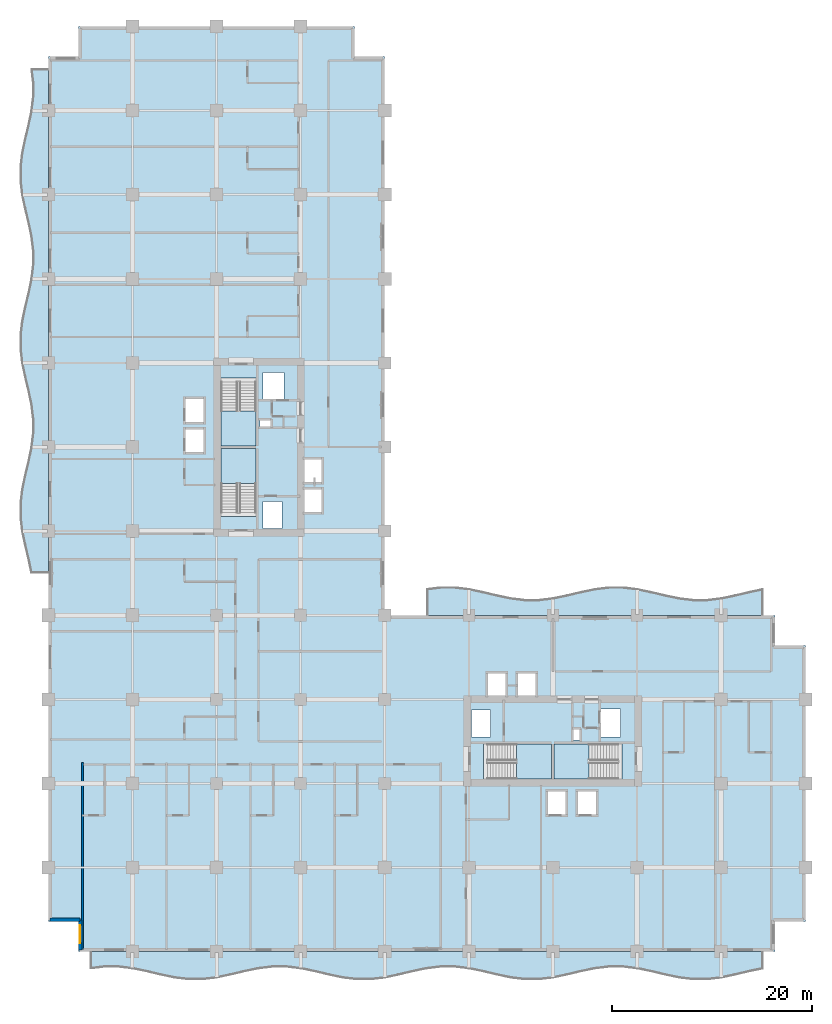
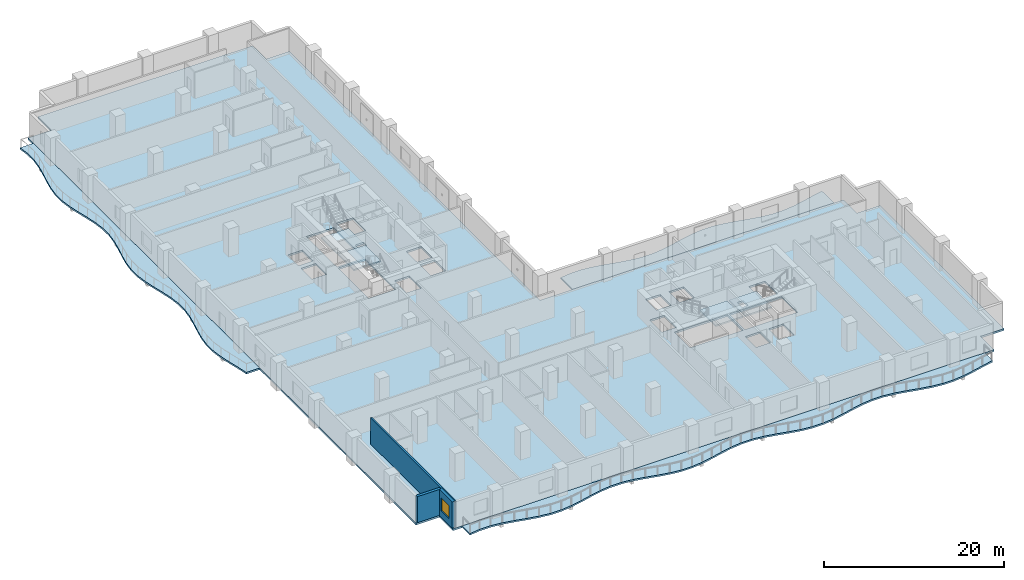
# One storey, part 3 of 18: 8 slabs, 3 walls, 1 window, 1 opening, 4 elements without a shape of their own.
"""IFC4 building model written with IfcOpenShell, lengths in metres."""

from ifc_helpers import new_model, si_unit, direction, frame, frame_2d, origin, place, context, subcontext, project, spatial, polyline, rectangle, outline, extrude, material, layer, layer_set, type_object, element, fill, aggregate, save


model = new_model("IFC4")

# Units and contexts
model_context = context("Model", 3, precision=1e-05, world=origin(), true_north=direction((0.0, 1.0)))
body_context = subcontext(model_context, "Body", "Model", "MODEL_VIEW")
ifc_project = project(units=[si_unit("LENGTHUNIT", "METRE"), si_unit("AREAUNIT", "SQUARE_METRE"), si_unit("VOLUMEUNIT", "CUBIC_METRE"), si_unit("PLANEANGLEUNIT", "RADIAN"), si_unit("MASSUNIT", "GRAM", prefix="KILO")], contexts=[model_context])

# Site, building, storey
site_placement = place(None, origin())
site = spatial("IfcSite", under=ifc_project, at=site_placement, CompositionType="ELEMENT")
building_placement = place(site_placement, origin())
building = spatial("IfcBuilding", under=site, at=building_placement, Name="Koriwani Terraces Tower", CompositionType="ELEMENT")
storey_placement = place(building_placement, frame((0.0, 0.0, 100.0)))
storey = spatial("IfcBuildingStorey", under=building, at=storey_placement, Name="L23", CompositionType="ELEMENT", Elevation=100.0)

# Slabs
ifc_material_1 = material(Name="Concrete C40/50", Category="concrete")
ifc_layer_1 = layer(ifc_material_1, 0.219970703125, Name="Concrete C40/50")
ifc_layer_set_1 = layer_set([ifc_layer_1], Name="Concrete C40/50")
slab_type_1 = type_object("IfcSlabType", Name="SLAB_BALCONY_220", PredefinedType="FLOOR", material=ifc_layer_set_1)
slab_1_placement = place(storey_placement, frame((0.0, 0.0, -0.219970703125)))
element("IfcSlab", 1, at=slab_1_placement, inside=storey, type_object=slab_type_1, Name="L23 Quilted Circular-Arc Balcony (S)", PredefinedType="FLOOR", context=body_context, shape_type="SweptSolid", body=[
    extrude(outline(polyline([(4.199951171875, 0.0), (5.60009765625, 0.0), (7.0, 0.0), (8.39990234375, 0.0), (9.800048828125, 0.0), (11.199951171875, 0.0), (12.60009765625, 0.0), (14.0, 0.0), (15.39990234375, 0.0), (16.800048828125, 0.0), (18.199951171875, 0.0), (19.60009765625, 0.0), (21.0, 0.0), (22.39990234375, 0.0), (23.800048828125, 0.0), (25.199951171875, 0.0), (26.60009765625, 0.0), (28.0, 0.0), (29.39990234375, 0.0), (30.800048828125, 0.0), (32.199951171875, 0.0), (33.60009765625, 0.0), (35.0, 0.0), (36.39990234375, 0.0), (37.800048828125, 0.0), (39.199951171875, 0.0), (40.60009765625, 0.0), (42.0, 0.0), (43.39990234375, 0.0), (44.800048828125, 0.0), (46.199951171875, 0.0), (47.60009765625, 0.0), (49.0, 0.0), (50.39990234375, 0.0), (51.800048828125, 0.0), (53.199951171875, 0.0), (54.60009765625, 0.0), (56.0, 0.0), (57.39990234375, 0.0), (58.800048828125, 0.0), (60.199951171875, 0.0), (61.60009765625, 0.0), (63.0, 0.0), (64.39990234375, 0.0), (65.800048828125, 0.0), (67.199951171875, 0.0), (68.60009765625, 0.0), (70.0, 0.0), (71.39990234375, 0.0), (71.39990234375, -1.740478515625), (70.0, -2.03173828125), (68.60009765625, -2.3681640625), (67.199951171875, -2.65966796875), (65.800048828125, -2.827880859375), (64.39990234375, -2.827880859375), (63.0, -2.65966796875), (61.60009765625, -2.3681640625), (60.199951171875, -2.03173828125), (58.800048828125, -1.740478515625), (57.39990234375, -1.572021484375), (56.0, -1.572021484375), (54.60009765625, -1.740478515625), (53.199951171875, -2.03173828125), (51.800048828125, -2.3681640625), (50.39990234375, -2.65966796875), (49.0, -2.827880859375), (47.60009765625, -2.827880859375), (46.199951171875, -2.65966796875), (44.800048828125, -2.3681640625), (43.39990234375, -2.03173828125), (42.0, -1.740478515625), (40.60009765625, -1.572021484375), (39.199951171875, -1.572021484375), (37.800048828125, -1.740478515625), (36.39990234375, -2.03173828125), (35.0, -2.3681640625), (33.60009765625, -2.65966796875), (32.199951171875, -2.827880859375), (30.800048828125, -2.827880859375), (29.39990234375, -2.65966796875), (28.0, -2.3681640625), (26.60009765625, -2.03173828125), (25.199951171875, -1.740478515625), (23.800048828125, -1.572021484375), (22.39990234375, -1.572021484375), (21.0, -1.740478515625), (19.60009765625, -2.03173828125), (18.199951171875, -2.3681640625), (16.800048828125, -2.65966796875), (15.39990234375, -2.827880859375), (14.0, -2.827880859375), (12.60009765625, -2.65966796875), (11.199951171875, -2.3681640625), (9.800048828125, -2.03173828125), (8.39990234375, -1.740478515625), (7.0, -1.572021484375), (5.60009765625, -1.572021484375), (4.199951171875, -1.740478515625), (4.199951171875, 0.0)])), origin(), (0.0, 0.0, 1.0), 0.219970703125),
])
slab_2_placement = place(storey_placement, frame((0.0, 0.0, -0.219970703125)))
element("IfcSlab", 2, at=slab_2_placement, inside=storey, type_object=slab_type_1, Name="L23 Quilted Circular-Arc Balcony (W)", PredefinedType="FLOOR", context=body_context, shape_type="SweptSolid", body=[
    extrude(outline(polyline([(0.0, 37.800048828125), (0.0, 39.199951171875), (0.0, 40.60009765625), (0.0, 42.0), (0.0, 43.39990234375), (0.0, 44.800048828125), (0.0, 46.199951171875), (0.0, 47.60009765625), (0.0, 49.0), (0.0, 50.39990234375), (0.0, 51.800048828125), (0.0, 53.199951171875), (0.0, 54.60009765625), (0.0, 56.0), (0.0, 57.39990234375), (0.0, 58.800048828125), (0.0, 60.199951171875), (0.0, 61.60009765625), (0.0, 63.0), (0.0, 64.39990234375), (0.0, 65.800048828125), (0.0, 67.199951171875), (0.0, 68.60009765625), (0.0, 70.0), (0.0, 71.39990234375), (0.0, 72.800048828125), (0.0, 74.199951171875), (0.0, 75.60009765625), (0.0, 77.0), (0.0, 78.39990234375), (0.0, 79.800048828125), (0.0, 81.199951171875), (0.0, 82.60009765625), (0.0, 84.0), (0.0, 85.39990234375), (0.0, 86.800048828125), (0.0, 88.199951171875), (-1.740478515625, 88.199951171875), (-1.572021484375, 86.800048828125), (-1.572021484375, 85.39990234375), (-1.740478515625, 84.0), (-2.03173828125, 82.60009765625), (-2.3681640625, 81.199951171875), (-2.65966796875, 79.800048828125), (-2.827880859375, 78.39990234375), (-2.827880859375, 77.0), (-2.65966796875, 75.60009765625), (-2.3681640625, 74.199951171875), (-2.03173828125, 72.800048828125), (-1.740478515625, 71.39990234375), (-1.572021484375, 70.0), (-1.572021484375, 68.60009765625), (-1.740478515625, 67.199951171875), (-2.03173828125, 65.800048828125), (-2.3681640625, 64.39990234375), (-2.65966796875, 63.0), (-2.827880859375, 61.60009765625), (-2.827880859375, 60.199951171875), (-2.65966796875, 58.800048828125), (-2.3681640625, 57.39990234375), (-2.03173828125, 56.0), (-1.740478515625, 54.60009765625), (-1.572021484375, 53.199951171875), (-1.572021484375, 51.800048828125), (-1.740478515625, 50.39990234375), (-2.03173828125, 49.0), (-2.3681640625, 47.60009765625), (-2.65966796875, 46.199951171875), (-2.827880859375, 44.800048828125), (-2.827880859375, 43.39990234375), (-2.65966796875, 42.0), (-2.3681640625, 40.60009765625), (-2.03173828125, 39.199951171875), (-1.740478515625, 37.800048828125), (0.0, 37.800048828125)])), origin(), (0.0, 0.0, 1.0), 0.219970703125),
])
slab_3_placement = place(storey_placement, frame((0.0, 0.0, -0.219970703125)))
element("IfcSlab", 3, at=slab_3_placement, inside=storey, type_object=slab_type_1, Name="L23 Quilted Circular-Arc Balcony (NE)", PredefinedType="FLOOR", context=body_context, shape_type="SweptSolid", body=[
    extrude(outline(polyline([(71.39990234375, 33.60009765625), (70.0, 33.60009765625), (68.60009765625, 33.60009765625), (67.199951171875, 33.60009765625), (65.800048828125, 33.60009765625), (64.39990234375, 33.60009765625), (63.0, 33.60009765625), (61.60009765625, 33.60009765625), (60.199951171875, 33.60009765625), (58.800048828125, 33.60009765625), (57.39990234375, 33.60009765625), (56.0, 33.60009765625), (54.60009765625, 33.60009765625), (53.199951171875, 33.60009765625), (51.800048828125, 33.60009765625), (50.39990234375, 33.60009765625), (49.0, 33.60009765625), (47.60009765625, 33.60009765625), (46.199951171875, 33.60009765625), (44.800048828125, 33.60009765625), (43.39990234375, 33.60009765625), (42.0, 33.60009765625), (40.60009765625, 33.60009765625), (39.199951171875, 33.60009765625), (37.800048828125, 33.60009765625), (37.800048828125, 36.259521484375), (39.199951171875, 36.427978515625), (40.60009765625, 36.427978515625), (42.0, 36.259521484375), (43.39990234375, 35.96826171875), (44.800048828125, 35.6318359375), (46.199951171875, 35.34033203125), (47.60009765625, 35.172119140625), (49.0, 35.172119140625), (50.39990234375, 35.34033203125), (51.800048828125, 35.6318359375), (53.199951171875, 35.96826171875), (54.60009765625, 36.259521484375), (56.0, 36.427978515625), (57.39990234375, 36.427978515625), (58.800048828125, 36.259521484375), (60.199951171875, 35.96826171875), (61.60009765625, 35.6318359375), (63.0, 35.34033203125), (64.39990234375, 35.172119140625), (65.800048828125, 35.172119140625), (67.199951171875, 35.34033203125), (68.60009765625, 35.6318359375), (70.0, 35.96826171875), (71.39990234375, 36.259521484375), (71.39990234375, 33.60009765625)])), origin(), (0.0, 0.0, 1.0), 0.219970703125),
])

# Stair, slab
stair_type = type_object("IfcStairType", Name="STAIR_CORE_DOGLEG_1650", PredefinedType="TWO_STRAIGHT_RUN_STAIR", material=ifc_material_1)
stair_1_placement = place(storey_placement, origin())
stair_1 = element("IfcStair", 4, at=stair_1_placement, inside=storey, type_object=stair_type, Name="L23 West Core Exit Stair 1", PredefinedType="HALF_TURN_STAIR")
ifc_layer_2 = layer(ifc_material_1, 0.199951171875, Name="Concrete C40/50")
ifc_layer_set_2 = layer_set([ifc_layer_2], Name="Concrete C40/50")
slab_type_2 = type_object("IfcSlabType", Name="SLAB_STAIR_LANDING_200", PredefinedType="LANDING", material=ifc_layer_set_2)
slab_4_placement = place(storey_placement, frame((0.0, 0.0, 1.699951171875)))
slab_4 = element("IfcSlab", 5, at=slab_4_placement, type_object=slab_type_2, Name="ST-W1 landing 1", PredefinedType="LANDING", context=body_context, shape_type="SweptSolid", body=[
    extrude(outline(polyline([(20.75, 46.75), (20.75, 50.25), (17.25, 50.25), (17.25, 46.75), (20.75, 46.75)])), origin(), (0.0, 0.0, 1.0), 0.199951171875),
])
aggregate(stair_1, [slab_4])

stair_2_placement = place(storey_placement, origin())
stair_2 = element("IfcStair", 6, at=stair_2_placement, inside=storey, type_object=stair_type, Name="L23 West Core Exit Stair 2", PredefinedType="HALF_TURN_STAIR")
slab_5_placement = place(storey_placement, frame((0.0, 0.0, 1.699951171875)))
slab_5 = element("IfcSlab", 7, at=slab_5_placement, type_object=slab_type_2, Name="ST-W2 landing 1", PredefinedType="LANDING", context=body_context, shape_type="SweptSolid", body=[
    extrude(outline(polyline([(17.25, 54.0), (17.25, 50.5), (20.75, 50.5), (20.75, 54.0), (17.25, 54.0)])), origin(), (0.0, 0.0, 1.0), 0.199951171875),
])
aggregate(stair_2, [slab_5])

stair_3_placement = place(storey_placement, origin())
stair_3 = element("IfcStair", 8, at=stair_3_placement, inside=storey, type_object=stair_type, Name="L23 East Core Exit Stair 1", PredefinedType="HALF_TURN_STAIR")
slab_6_placement = place(storey_placement, frame((0.0, 0.0, 1.699951171875)))
slab_6 = element("IfcSlab", 9, at=slab_6_placement, type_object=slab_type_2, Name="ST-E1 landing 1", PredefinedType="LANDING", context=body_context, shape_type="SweptSolid", body=[
    extrude(outline(polyline([(46.75, 17.25), (50.25, 17.25), (50.25, 20.75), (46.75, 20.75), (46.75, 17.25)])), origin(), (0.0, 0.0, 1.0), 0.199951171875),
])
aggregate(stair_3, [slab_6])

stair_4_placement = place(storey_placement, origin())
stair_4 = element("IfcStair", 10, at=stair_4_placement, inside=storey, type_object=stair_type, Name="L23 East Core Exit Stair 2", PredefinedType="HALF_TURN_STAIR")
slab_7_placement = place(storey_placement, frame((0.0, 0.0, 1.699951171875)))
slab_7 = element("IfcSlab", 11, at=slab_7_placement, type_object=slab_type_2, Name="ST-E2 landing 1", PredefinedType="LANDING", context=body_context, shape_type="SweptSolid", body=[
    extrude(outline(polyline([(54.0, 20.75), (50.5, 20.75), (50.5, 17.25), (54.0, 17.25), (54.0, 20.75)])), origin(), (0.0, 0.0, 1.0), 0.199951171875),
])
aggregate(stair_4, [slab_7])

# Slab
ifc_layer_3 = layer(ifc_material_1, 0.25, Name="Concrete C40/50")
ifc_layer_set_3 = layer_set([ifc_layer_3], Name="Concrete C40/50")
slab_type_3 = type_object("IfcSlabType", Name="SLAB_TOWER_TYP_250", PredefinedType="FLOOR", material=ifc_layer_set_3)
slab_8_placement = place(storey_placement, frame((0.0, 0.0, -0.25)))
element("IfcSlab", 12, at=slab_8_placement, inside=storey, type_object=slab_type_3, Name="L23 Structural Floor Slab", PredefinedType="FLOOR", context=body_context, shape_type="SweptSolid", body=[
    extrude(outline(polyline([(3.0, 0.0), (72.60009765625, 0.0), (72.60009765625, 3.0), (75.60009765625, 3.0), (75.60009765625, 30.60009765625), (72.60009765625, 30.60009765625), (72.60009765625, 33.60009765625), (33.60009765625, 33.60009765625), (33.60009765625, 89.39990234375), (30.60009765625, 89.39990234375), (30.60009765625, 92.39990234375), (3.0, 92.39990234375), (3.0, 89.39990234375), (0.0, 89.39990234375), (0.0, 3.0), (3.0, 3.0), (3.0, 0.0)]), holes=[polyline([(17.25, 43.4599609375), (20.75, 43.4599609375), (20.75, 50.25), (17.25, 50.25), (17.25, 43.4599609375)]), polyline([(17.25, 50.5), (20.75, 50.5), (20.75, 57.2900390625), (17.25, 57.2900390625), (17.25, 50.5)]), polyline([(43.4599609375, 17.25), (50.25, 17.25), (50.25, 20.75), (43.4599609375, 20.75), (43.4599609375, 17.25)]), polyline([(50.5, 17.25), (57.2900390625, 17.25), (57.2900390625, 20.75), (50.5, 20.75), (50.5, 17.25)]), polyline([(13.64990234375, 49.85009765625), (15.550048828125, 49.85009765625), (15.550048828125, 52.25), (13.64990234375, 52.25), (13.64990234375, 49.85009765625)]), polyline([(13.64990234375, 52.85009765625), (15.550048828125, 52.85009765625), (15.550048828125, 55.25), (13.64990234375, 55.25), (13.64990234375, 52.85009765625)]), polyline([(49.85009765625, 13.64990234375), (51.75, 13.64990234375), (51.75, 16.050048828125), (49.85009765625, 16.050048828125), (49.85009765625, 13.64990234375)]), polyline([(52.85009765625, 13.64990234375), (54.75, 13.64990234375), (54.75, 16.050048828125), (52.85009765625, 16.050048828125), (52.85009765625, 13.64990234375)]), polyline([(25.449951171875, 43.85009765625), (27.35009765625, 43.85009765625), (27.35009765625, 46.25), (25.449951171875, 46.25), (25.449951171875, 43.85009765625)]), polyline([(25.449951171875, 46.85009765625), (27.35009765625, 46.85009765625), (27.35009765625, 49.25), (25.449951171875, 49.25), (25.449951171875, 46.85009765625)]), polyline([(43.85009765625, 25.449951171875), (45.75, 25.449951171875), (45.75, 27.85009765625), (43.85009765625, 27.85009765625), (43.85009765625, 25.449951171875)]), polyline([(46.85009765625, 25.449951171875), (48.75, 25.449951171875), (48.75, 27.85009765625), (46.85009765625, 27.85009765625), (46.85009765625, 25.449951171875)]), polyline([(21.449951171875, 55.050048828125), (23.550048828125, 55.050048828125), (23.550048828125, 57.85009765625), (21.449951171875, 57.85009765625), (21.449951171875, 55.050048828125)]), polyline([(55.050048828125, 21.449951171875), (57.14990234375, 21.449951171875), (57.14990234375, 24.25), (55.050048828125, 24.25), (55.050048828125, 21.449951171875)]), polyline([(21.449951171875, 42.25), (23.35009765625, 42.25), (23.35009765625, 44.949951171875), (21.449951171875, 44.949951171875), (21.449951171875, 42.25)]), polyline([(42.25, 21.449951171875), (44.14990234375, 21.449951171875), (44.14990234375, 24.14990234375), (42.25, 24.14990234375), (42.25, 21.449951171875)]), polyline([(21.14990234375, 52.419921875), (22.219970703125, 52.419921875), (22.219970703125, 53.179931640625), (21.14990234375, 53.179931640625), (21.14990234375, 52.419921875)]), polyline([(52.419921875, 21.14990234375), (53.179931640625, 21.14990234375), (53.179931640625, 22.219970703125), (52.419921875, 22.219970703125), (52.419921875, 21.14990234375)])]), origin(), (0.0, 0.0, 1.0), 0.25),
])

# Wall
ifc_material_2 = material(Name="Autoclaved Cellular Concrete Blockwork", Category="masonry")
ifc_layer_4 = layer(ifc_material_2, 0.219970703125, Name="Autoclaved Cellular Concrete Blockwork")
ifc_layer_set_4 = layer_set([ifc_layer_4], Name="Autoclaved Cellular Concrete Blockwork")
wall_type_1 = type_object("IfcWallType", Name="WALL_DEMISING_220", PredefinedType="PARTITIONING", material=ifc_layer_set_4)
wall_1_placement = place(storey_placement, frame((3.39990234375, 0.199951171875, 0.0), z_axis=(0.0, 0.0, 1.0), x_axis=(0.0, 1.0, 0.0)))
element("IfcWall", 13, at=wall_1_placement, inside=storey, type_object=wall_type_1, Name="L23 Interior Wall WDEM-L23-SW-0", PredefinedType="PARTITIONING", context=body_context, shape_type="SweptSolid", body=[
    extrude(rectangle(XDim=18.679931640625, YDim=0.219970703125, at=frame_2d((9.33984375, 0.0))), origin(), (0.0, 0.0, 1.0), 3.550048828125),
])

# Wall, opening, window
ifc_material_3 = material(Name="Concrete C50/60", Category="concrete")
ifc_layer_5 = layer(ifc_material_3, 0.35009765625, Name="Concrete C50/60")
ifc_layer_set_5 = layer_set([ifc_layer_5], Name="Concrete C50/60")
wall_type_2 = type_object("IfcWallType", Name="WALL_EXT_BRUTALIST_350", PredefinedType="STANDARD", material=ifc_layer_set_5)
wall_2_placement = place(storey_placement, frame((3.175048828125, 0.175048828125, 0.0), z_axis=(0.0, 0.0, 1.0), x_axis=(0.0, 1.0, 0.0)))
wall_2 = element("IfcWall", 14, at=wall_2_placement, inside=storey, type_object=wall_type_2, Name="L23 Fair-Faced Brutalist Exterior Wall (N0)", PredefinedType="STANDARD", context=body_context, shape_type="SweptSolid", body=[
    extrude(rectangle(XDim=3.0, YDim=0.35009765625, at=frame_2d((1.5, 0.0))), origin(), (0.0, 0.0, 1.0), 3.550048828125),
])
opening_placement = place(wall_2_placement, frame((0.677490234375, 0.0, 0.85009765625)))
opening = element("IfcOpeningElement", 15, at=opening_placement, cuts=wall_2, Name="Opening W-04", PredefinedType="OPENING", context=body_context, shape_type="SweptSolid", body=[
    extrude(rectangle(XDim=1.800048828125, YDim=1.800048828125, at=frame_2d((0.89990234375, 0.89990234375))), frame((0.0, 0.18505859375, 0.0), z_axis=(0.0, -1.0, 0.0), x_axis=(1.0, 0.0, 0.0)), (0.0, 0.0, 1.0), 0.3701171875),
])
ifc_material_4 = material(Name="Tempered Laminated Low-E Glass", Category="glass")
window_type = type_object("IfcWindowType", Name="WIN_RES_BED_1800X1800", PartitioningType="DOUBLE_PANEL_VERTICAL", PredefinedType="WINDOW", material=ifc_material_4)
window_placement = place(opening_placement, origin())
window = element("IfcWindow", 16, at=window_placement, inside=storey, type_object=window_type, Name="L23 Exterior Window (N0-R32)", OverallHeight=1.800048828125, OverallWidth=1.800048828125, PartitioningType="SINGLE_PANEL", PredefinedType="WINDOW", context=body_context, shape_type="SweptSolid", body=[
    extrude(rectangle(XDim=1.800048828125, YDim=1.800048828125, at=frame_2d((0.89990234375, 0.89990234375))), frame((0.0, 0.030029296875, 0.0), z_axis=(0.0, -1.0, 0.0), x_axis=(1.0, 0.0, 0.0)), (0.0, 0.0, 1.0), 0.06005859375),
])
fill(opening, window)

# Wall
wall_3_placement = place(storey_placement, frame((3.175048828125, 3.175048828125, 0.0), z_axis=(0.0, 0.0, 1.0), x_axis=(-1.0, 0.0, 0.0)))
element("IfcWall", 17, at=wall_3_placement, inside=storey, type_object=wall_type_2, Name="L23 Fair-Faced Brutalist Exterior Wall (N1)", PredefinedType="STANDARD", context=body_context, shape_type="SweptSolid", body=[
    extrude(rectangle(XDim=3.0, YDim=0.35009765625, at=frame_2d((1.5, 0.0))), origin(), (0.0, 0.0, 1.0), 3.550048828125),
])

save(model, "model.ifc")
